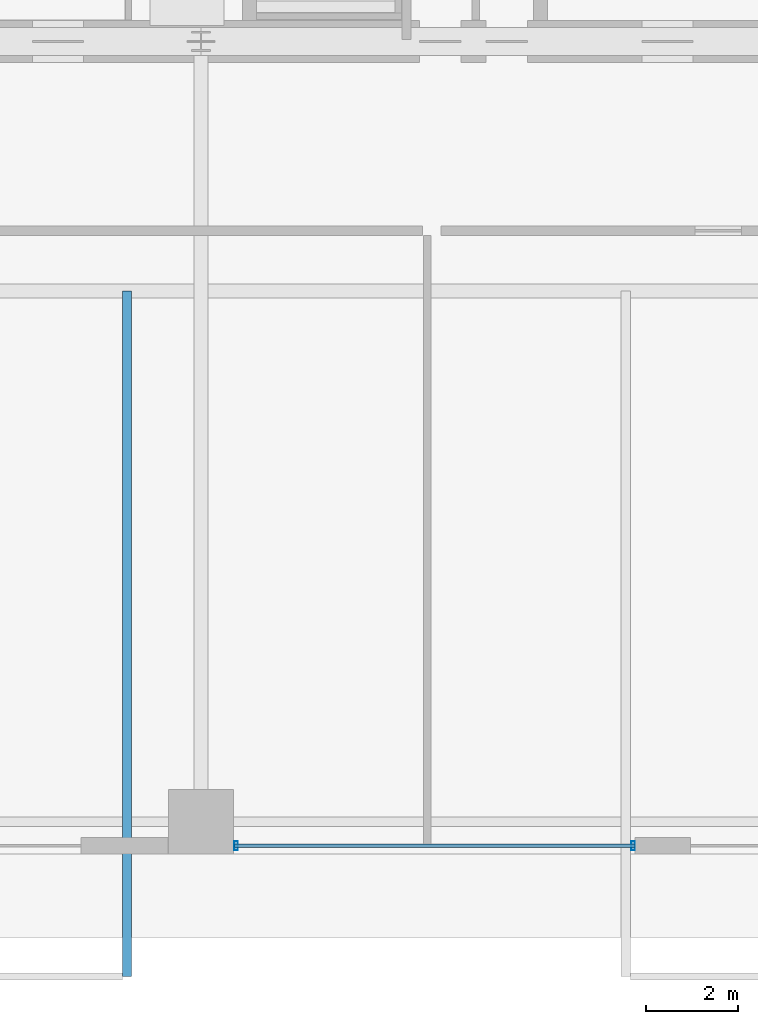
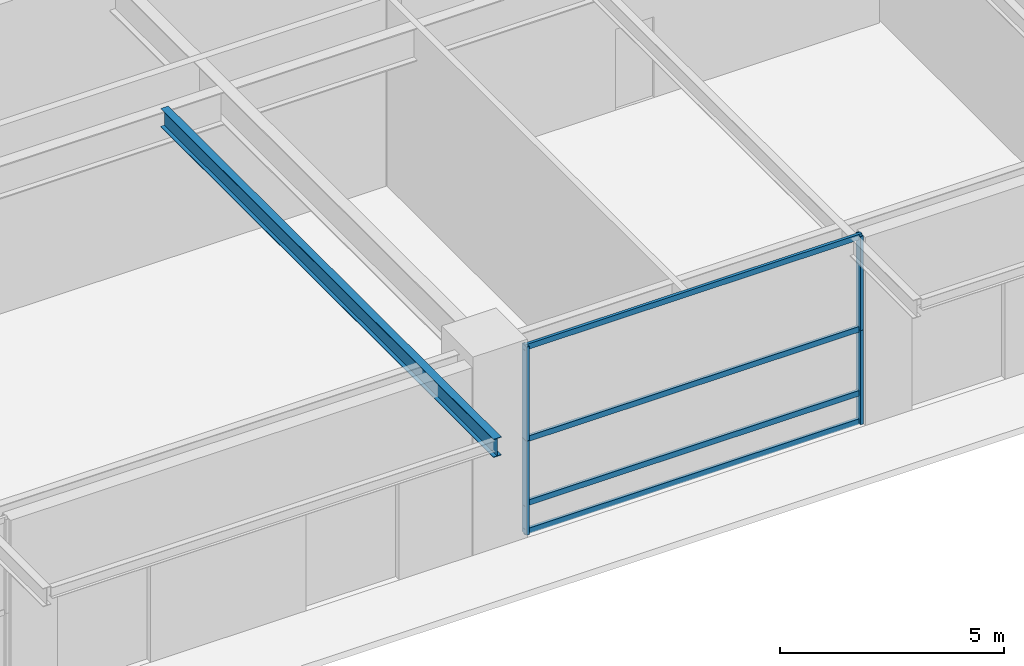
# One storey, part 10 of 32: 8 members, 1 beam, 1 element without a shape of its own.
"""IFC4 building model written with IfcOpenShell, lengths in metres."""

from ifc_helpers import new_model, si_unit, direction, frame, origin, origin_2d, place, context, subcontext, project, spatial, hollow_rectangle, i_section, extrude, source, transform, mapped, material, layer, layer_set, material_profile, profile_set, type_object, element, aggregate, save


model = new_model("IFC4")

# Units and contexts
model_context = context("Model", 3, precision=1e-05, world=origin(), true_north=direction((0.0, 1.0)))
body_context = subcontext(model_context, "Body", "Model", "MODEL_VIEW")
ifc_project = project(units=[si_unit("LENGTHUNIT", "METRE"), si_unit("AREAUNIT", "SQUARE_METRE"), si_unit("VOLUMEUNIT", "CUBIC_METRE"), si_unit("PLANEANGLEUNIT", "RADIAN"), si_unit("MASSUNIT", "GRAM", prefix="KILO"), si_unit("THERMODYNAMICTEMPERATUREUNIT", "KELVIN"), si_unit("POWERUNIT", "WATT")], contexts=[model_context])

# Site, building, storey
site_placement = place(None, origin())
site = spatial("IfcSite", under=ifc_project, at=site_placement, CompositionType="ELEMENT")
building_placement = place(site_placement, origin())
building = spatial("IfcBuilding", under=site, at=building_placement, Name="Yuzanri Waterfront Tower", CompositionType="ELEMENT")
storey_placement = place(building_placement, origin())
storey = spatial("IfcBuildingStorey", under=building, at=storey_placement, Name="L01", CompositionType="ELEMENT", Elevation=0.0)

# Beam
ifc_material_1 = material(Name="Steel Q355B", Category="steel")
ifc_material_profile_1 = material_profile(ifc_material_1, i_section(OverallWidth=0.199951171875, OverallDepth=0.5, WebThickness=0.010009765625, FlangeThickness=0.01611328125, at=origin_2d()), Name="HN 500x200x10x16")
ifc_profile_set_1 = profile_set([ifc_material_profile_1], Name="Steel Q355B")
beam_type = type_object("IfcBeamType", Name="Secondary Floor Beam Q355B HN 500x200", PredefinedType="BEAM", material=ifc_profile_set_1)
shared_shape_1 = source(origin(), body_context, "Body", "SweptSolid", [
    extrude(i_section(OverallWidth=0.199951171875, OverallDepth=0.5, WebThickness=0.010009765625, FlangeThickness=0.01611328125, at=origin_2d()), origin(), (0.0, 0.0, 1.0), 14.85009765625),
])
beam_placement = place(storey_placement, frame((35.39990234375, 14.0, 4.8701171875), z_axis=(0.0, -1.0, 0.0), x_axis=(1.0, 0.0, 0.0)))
element("IfcBeam", 1, at=beam_placement, inside=storey, type_object=beam_type, Name="L01 Canopy S1 Right Outlooker", PredefinedType="BEAM", context=body_context, shape_type="MappedRepresentation", body=[
    mapped(shared_shape_1, transform((0.0, 0.0, 0.0), scale=1.0)),
])

# Curtain wall, members
ifc_material_2 = material(Name="Anodized Architectural Bronze", Category="metal")
ifc_layer = layer(ifc_material_2, 0.159912109375)
ifc_layer_set = layer_set([ifc_layer], Name="Anodized Architectural Bronze")
curtain_wall_type = type_object("IfcCurtainWallType", Name="Anodized Bronze Podium Waterfront Double-Height Unitized Curtain Wall 8400", PredefinedType="NOTDEFINED", material=ifc_layer_set)
curtain_wall_placement = place(storey_placement, origin())
curtain_wall = element("IfcCurtainWall", 2, at=curtain_wall_placement, inside=storey, type_object=curtain_wall_type, Name="L01 Curtain Wall CW-L01-S2", PredefinedType="NOTDEFINED")
ifc_material_3 = material(Name="Anodized Architectural Bronze", Category="metal")
ifc_material_profile_2 = material_profile(ifc_material_3, hollow_rectangle(XDim=0.074951171875, YDim=0.199951171875, WallThickness=0.00390625, at=origin_2d()), Name="CWM 75x200")
ifc_profile_set_2 = profile_set([ifc_material_profile_2], Name="Anodized Architectural Bronze")
member_type_1 = type_object("IfcMemberType", Name="Anodized Bronze Primary Curtain-Wall Mullion 75x200", PredefinedType="MULLION", material=ifc_profile_set_2)
shared_shape_2 = source(origin(), body_context, "Body", "SweptSolid", [
    extrude(hollow_rectangle(XDim=0.074951171875, YDim=0.199951171875, WallThickness=0.00390625, at=origin_2d()), origin(), (0.0, 0.0, 1.0), 2.55810546875),
])
member_1_placement = place(storey_placement, frame((37.760009765625, 1.97998046875, 0.0), z_axis=(0.0, 0.0, 1.0), x_axis=(1.0, 0.0, 0.0)))
member_1 = element("IfcMember", 3, at=member_1_placement, type_object=member_type_1, Name="CW-L01-S2 Lower Mullion 00", PredefinedType="MULLION", context=body_context, shape_type="MappedRepresentation", body=[
    mapped(shared_shape_2, transform((0.0, 0.0, 0.0), scale=1.0)),
])
member_2_placement = place(storey_placement, frame((37.760009765625, 1.97998046875, 2.56201171875), z_axis=(0.0, 0.0, 1.0), x_axis=(1.0, 0.0, 0.0)))
member_2 = element("IfcMember", 4, at=member_2_placement, type_object=member_type_1, Name="CW-L01-S2 Upper Mullion 00", PredefinedType="MULLION", context=body_context, shape_type="MappedRepresentation", body=[
    mapped(shared_shape_2, transform((0.0, 0.0, 0.0), scale=1.0)),
])
member_3_placement = place(storey_placement, frame((46.360107421875, 1.97998046875, 0.0), z_axis=(0.0, 0.0, 1.0), x_axis=(1.0, 0.0, 0.0)))
member_3 = element("IfcMember", 5, at=member_3_placement, type_object=member_type_1, Name="CW-L01-S2 Lower Mullion 01", PredefinedType="MULLION", context=body_context, shape_type="MappedRepresentation", body=[
    mapped(shared_shape_2, transform((0.0, 0.0, 0.0), scale=1.0)),
])
member_4_placement = place(storey_placement, frame((46.360107421875, 1.97998046875, 2.56201171875), z_axis=(0.0, 0.0, 1.0), x_axis=(1.0, 0.0, 0.0)))
member_4 = element("IfcMember", 6, at=member_4_placement, type_object=member_type_1, Name="CW-L01-S2 Upper Mullion 01", PredefinedType="MULLION", context=body_context, shape_type="MappedRepresentation", body=[
    mapped(shared_shape_2, transform((0.0, 0.0, 0.0), scale=1.0)),
])
ifc_material_4 = material(Name="Anodized Architectural Bronze", Category="metal")
ifc_material_profile_3 = material_profile(ifc_material_4, hollow_rectangle(XDim=0.074951171875, YDim=0.14990234375, WallThickness=0.00390625, at=origin_2d()), Name="CWT 75x150")
ifc_profile_set_3 = profile_set([ifc_material_profile_3], Name="Anodized Architectural Bronze")
member_type_2 = type_object("IfcMemberType", Name="Anodized Bronze Primary Curtain-Wall Transom 75x150", PredefinedType="USERDEFINED", material=ifc_profile_set_3)
shared_shape_3 = source(origin(), body_context, "Body", "SweptSolid", [
    extrude(hollow_rectangle(XDim=0.074951171875, YDim=0.14990234375, WallThickness=0.00390625, at=origin_2d()), origin(), (0.0, 0.0, 1.0), 8.679931640625),
])
member_5_placement = place(storey_placement, frame((37.719970703125, 1.97998046875, 0.050048828125), z_axis=(1.0, 0.0, 0.0), x_axis=(0.0, 1.0, 0.0)))
member_5 = element("IfcMember", 7, at=member_5_placement, type_object=member_type_2, Name="CW-L01-S2 Transom 1", ObjectType="TRANSOM", PredefinedType="USERDEFINED", context=body_context, shape_type="MappedRepresentation", body=[
    mapped(shared_shape_3, transform((0.0, 0.0, 0.0), scale=1.0)),
])
member_6_placement = place(storey_placement, frame((37.719970703125, 1.97998046875, 0.820068359375), z_axis=(1.0, 0.0, 0.0), x_axis=(0.0, 1.0, 0.0)))
member_6 = element("IfcMember", 8, at=member_6_placement, type_object=member_type_2, Name="CW-L01-S2 Transom 2", ObjectType="TRANSOM", PredefinedType="USERDEFINED", context=body_context, shape_type="MappedRepresentation", body=[
    mapped(shared_shape_3, transform((0.0, 0.0, 0.0), scale=1.0)),
])
member_7_placement = place(storey_placement, frame((37.719970703125, 1.97998046875, 2.56005859375), z_axis=(1.0, 0.0, 0.0), x_axis=(0.0, 1.0, 0.0)))
member_7 = element("IfcMember", 9, at=member_7_placement, type_object=member_type_2, Name="CW-L01-S2 Transom 3", ObjectType="TRANSOM", PredefinedType="USERDEFINED", context=body_context, shape_type="MappedRepresentation", body=[
    mapped(shared_shape_3, transform((0.0, 0.0, 0.0), scale=1.0)),
])
member_8_placement = place(storey_placement, frame((37.719970703125, 1.97998046875, 5.070068359375), z_axis=(1.0, 0.0, 0.0), x_axis=(0.0, 1.0, 0.0)))
member_8 = element("IfcMember", 10, at=member_8_placement, type_object=member_type_2, Name="CW-L01-S2 Transom 4", ObjectType="TRANSOM", PredefinedType="USERDEFINED", context=body_context, shape_type="MappedRepresentation", body=[
    mapped(shared_shape_3, transform((0.0, 0.0, 0.0), scale=1.0)),
])
aggregate(curtain_wall, [member_1, member_2, member_3, member_4, member_5, member_6, member_7, member_8])

save(model, "model.ifc")
